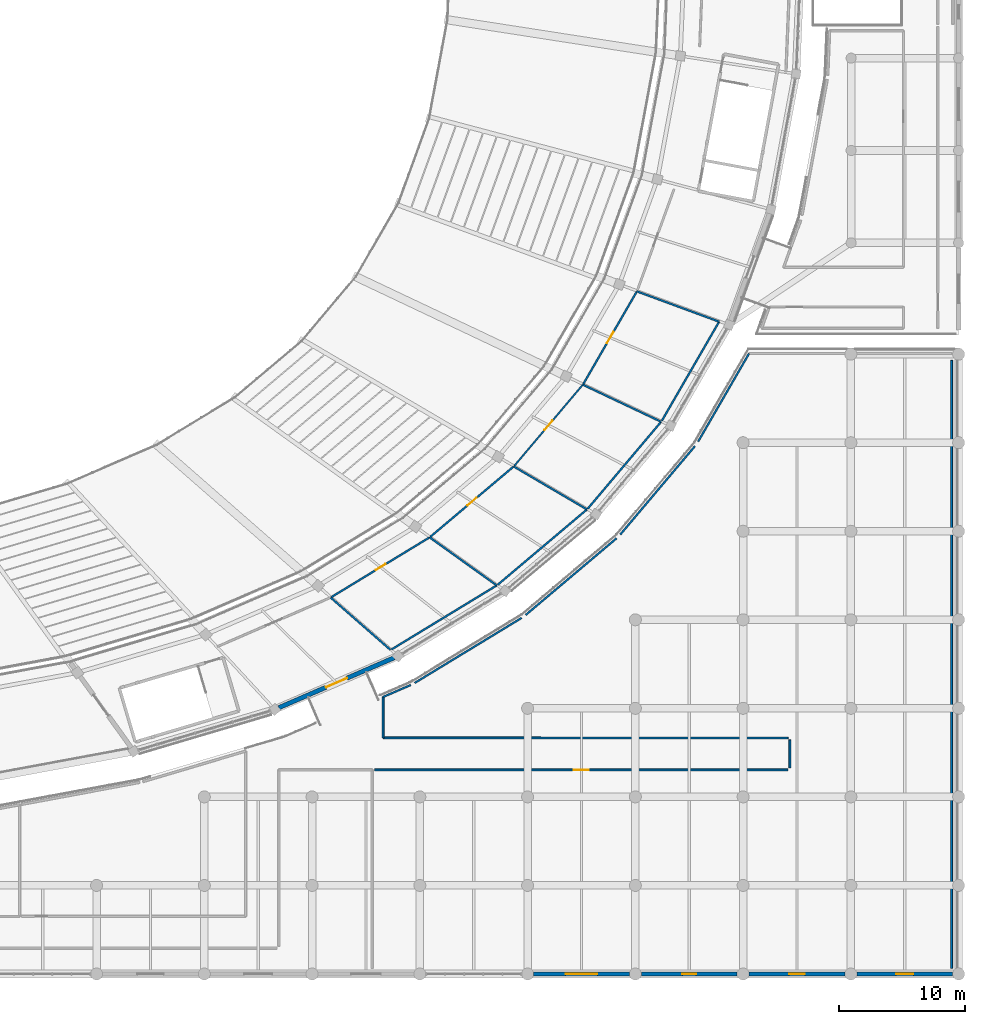
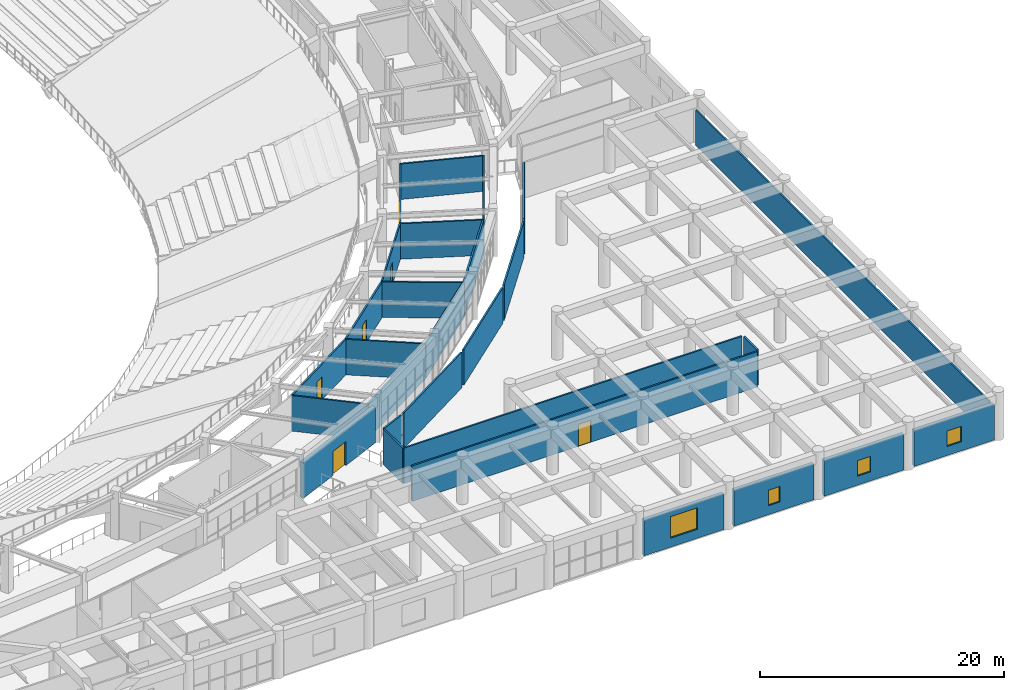
# One storey, part 98 of 137: 28 walls, 6 doors, 4 windows, 10 openings.
"""IFC4 building model written with IfcOpenShell, lengths in metres."""

import ifcopenshell
import ifcopenshell.guid

model = None  # the IFC model being written
_history = None  # IfcOwnerHistory: only IFC2X3 demands one
_inside = {}  # id of a spatial element -> (the spatial element, [elements in it])
_under = {}  # id of a project, library or spatial element -> (it, [spatial elements below it])
_declared = {}  # id of a project -> (the project, [libraries it declares])
_typed = {}  # id of a type object -> (the type object, [elements of that type])
_made_of = {}  # id of a material, layer set ... -> (it, [elements and type objects made of it])


def new_model(schema):
    """Start an empty IFC model of exactly this schema.

    Asked for "IFC4X3", IfcOpenShell would pick the latest addendum, in which some entities
    have other attributes; the version numbers below select the first issue.
    IFC2X3 requires an IfcOwnerHistory on every rooted entity: one is made here for all.
    """
    global model, _history
    if schema == "IFC4X3":
        model = ifcopenshell.file(schema_version=(4, 3, 0, 0))
    else:
        model = ifcopenshell.file(schema=schema)
    _inside.clear()
    _under.clear()
    _declared.clear()
    _typed.clear()
    _made_of.clear()
    _history = None
    if model.schema == "IFC2X3":
        org = make("IfcOrganization", Name="unknown")
        user = make(
            "IfcPersonAndOrganization",
            ThePerson=make("IfcPerson", FamilyName="unknown"),
            TheOrganization=org,
        )
        app = make(
            "IfcApplication",
            ApplicationDeveloper=org,
            Version="unknown",
            ApplicationFullName="unknown",
            ApplicationIdentifier="unknown",
        )
        _history = make(
            "IfcOwnerHistory",
            OwningUser=user,
            OwningApplication=app,
            ChangeAction="ADDED",
            CreationDate=0,
        )
    return model


def make(cls, **values):
    """One entity of the class cls with the attributes given. An attribute that is None is left unset."""
    return model.create_entity(
        cls, **{name: value for name, value in values.items() if value is not None}
    )


def rooted(cls, **values):
    """An entity with a GlobalId (a new one), such as an element, a storey or a relation."""
    return make(cls, GlobalId=ifcopenshell.guid.new(), OwnerHistory=_history, **values)


def si_unit(unit_type, name, prefix=None):
    """IfcSIUnit, for example si_unit("LENGTHUNIT", "METRE", prefix="MILLI")."""
    return make("IfcSIUnit", UnitType=unit_type, Prefix=prefix, Name=name)


def assignment(units):
    """IfcUnitAssignment: the units of a project."""
    return None if units is None else make("IfcUnitAssignment", Units=units)


def point(xyz):
    """IfcCartesianPoint."""
    return None if xyz is None else make("IfcCartesianPoint", Coordinates=xyz)


def direction(xyz):
    """IfcDirection."""
    return None if xyz is None else make("IfcDirection", DirectionRatios=xyz)


def frame(location, z_axis=None, x_axis=None):
    """IfcAxis2Placement3D, a coordinate frame: its origin and axes. An axis left out is left unset."""
    return make(
        "IfcAxis2Placement3D",
        Location=point(location),
        Axis=direction(z_axis),
        RefDirection=direction(x_axis),
    )


def frame_2d(location, x_axis=None):
    """IfcAxis2Placement2D, a coordinate frame in the plane: its origin and x axis."""
    return make(
        "IfcAxis2Placement2D", Location=point(location), RefDirection=direction(x_axis)
    )


def origin():
    """The frame at (0, 0, 0) with its axes left unset."""
    return frame((0.0, 0.0, 0.0))


def place(relative_to, where):
    """IfcLocalPlacement: puts the frame where relative to a parent placement (None: the world)."""
    return make(
        "IfcLocalPlacement", PlacementRelTo=relative_to, RelativePlacement=where
    )


def context(
    kind, dimensions, precision=None, world=None, true_north=None, identifier=None
):
    """IfcGeometricRepresentationContext, for example the 3D "Model" context."""
    return make(
        "IfcGeometricRepresentationContext",
        ContextIdentifier=identifier,
        ContextType=kind,
        CoordinateSpaceDimension=dimensions,
        Precision=precision,
        WorldCoordinateSystem=world,
        TrueNorth=true_north,
    )


def subcontext(parent, identifier, kind, view, scale=None):
    """IfcGeometricRepresentationSubContext, for example "Body" below "Model"."""
    return make(
        "IfcGeometricRepresentationSubContext",
        ContextIdentifier=identifier,
        ContextType=kind,
        ParentContext=parent,
        TargetScale=scale,
        TargetView=view,
    )


def project(units=None, contexts=None):
    """IfcProject with its units and contexts."""
    return rooted(
        "IfcProject",
        Name="project",
        RepresentationContexts=contexts,
        UnitsInContext=assignment(units),
    )


def spatial(cls, under=None, at=None, **own):
    """A site, building, storey or space (cls), placed at a placement, below another one or the project."""
    s = rooted(cls, ObjectPlacement=at, **own)
    if under is not None:
        _under.setdefault(under.id(), (under, []))[1].append(s)
    return s


def profile(cls, at=None, kind="AREA", **sizes):
    """A parametric profile (cls). Its sizes go by their IFC names, for example OverallWidth=200.0."""
    return make(cls, ProfileType=kind, Position=at, **sizes)


def rectangle(**sizes):
    """IfcRectangleProfileDef."""
    return profile("IfcRectangleProfileDef", **sizes)


def extrude(swept, where, along, depth):
    """IfcExtrudedAreaSolid: the profile swept, set in the frame where, extruded along a direction by depth."""
    return make(
        "IfcExtrudedAreaSolid",
        SweptArea=swept,
        Position=where,
        ExtrudedDirection=direction(along),
        Depth=depth,
    )


def shape(context_of_items, identifier, shape_type, items):
    """IfcShapeRepresentation: the items that make up one representation, for example the "Body"."""
    return make(
        "IfcShapeRepresentation",
        ContextOfItems=context_of_items,
        RepresentationIdentifier=identifier,
        RepresentationType=shape_type,
        Items=items,
    )


def material(Name=None, Category=None):
    """IfcMaterial."""
    return make("IfcMaterial", Name=Name, Category=Category)


def layer(
    of_material, thickness, ventilated=None, Name=None, Category=None, Priority=None
):
    """IfcMaterialLayer: one layer of a wall or slab, of a material (None: an air gap)."""
    return make(
        "IfcMaterialLayer",
        Material=of_material,
        LayerThickness=thickness,
        IsVentilated=ventilated,
        Name=Name,
        Category=Category,
        Priority=Priority,
    )


def layer_set(layers, Name=None):
    """IfcMaterialLayerSet."""
    return make("IfcMaterialLayerSet", MaterialLayers=layers, LayerSetName=Name)


def made_of(thing, what):
    """Note that an element or type object is made of a material, layer set ...; save() writes the relation."""
    if what is not None:
        _made_of.setdefault(what.id(), (what, []))[1].append(thing)
    return thing


def type_object(cls, material=None, **own):
    """A type object (cls), such as IfcWallType, which elements share."""
    return made_of(rooted(cls, **own), material)


def element(
    cls,
    number,
    at=None,
    inside=None,
    cuts=None,
    type_object=None,
    material=None,
    context=None,
    identifier="Body",
    shape_type=None,
    held_by="IfcProductDefinitionShape",
    body=None,
    shapes=None,
    **own,
):
    """One element of the class cls, such as IfcWall. Its Tag is "e" and its number.

    at: its placement. inside: the storey or other place that contains it. cuts: it is an
    opening in that element (IfcRelVoidsElement). A single representation is given by context,
    identifier, shape_type and body (its items); several are given by shapes. held_by: the class
    of the entity that holds the representations. save() writes the other relations.
    """
    e = rooted(cls, Tag="e%d" % number, ObjectPlacement=at, **own)
    if body is not None:
        shapes = [shape(context, identifier, shape_type, body)]
    if shapes is not None:
        e.Representation = make(held_by, Representations=shapes)
    if inside is not None:
        _inside.setdefault(inside.id(), (inside, []))[1].append(e)
    if cuts is not None:
        rooted(
            "IfcRelVoidsElement", RelatingBuildingElement=cuts, RelatedOpeningElement=e
        )
    if type_object is not None:
        _typed.setdefault(type_object.id(), (type_object, []))[1].append(e)
    return made_of(e, material)


def fill(opening, filler):
    """IfcRelFillsElement: the door or window that sits in an opening."""
    return rooted(
        "IfcRelFillsElement",
        RelatingOpeningElement=opening,
        RelatedBuildingElement=filler,
    )


def aggregate(whole, parts):
    """IfcRelAggregates: a whole, such as a stair, and the parts it consists of."""
    return rooted("IfcRelAggregates", RelatingObject=whole, RelatedObjects=parts)


def save(model, path):
    """Write the relations noted so far, then the file.

    IfcRelAggregates (storeys below a building ...), IfcRelContainedInSpatialStructure (elements
    in a storey), IfcRelDefinesByType, IfcRelAssociatesMaterial and IfcRelDeclares: one each for
    every whole, place, type object, material and project.
    """
    for whole, parts in _under.values():
        aggregate(whole, parts)
    for where, things in _inside.values():
        rooted(
            "IfcRelContainedInSpatialStructure",
            RelatedElements=things,
            RelatingStructure=where,
        )
    for kind, things in _typed.values():
        rooted("IfcRelDefinesByType", RelatedObjects=things, RelatingType=kind)
    for what, things in _made_of.values():
        rooted("IfcRelAssociatesMaterial", RelatedObjects=things, RelatingMaterial=what)
    for by, libraries in _declared.values():
        rooted("IfcRelDeclares", RelatingContext=by, RelatedDefinitions=libraries)
    model.write(path)


model = new_model("IFC4")

# Units and contexts
model_context = context("Model", 3, precision=1e-05, world=origin(), true_north=direction((0.0, 1.0)))
body_context = subcontext(model_context, "Body", "Model", "MODEL_VIEW")
ifc_project = project(units=[si_unit("LENGTHUNIT", "METRE"), si_unit("AREAUNIT", "SQUARE_METRE"), si_unit("VOLUMEUNIT", "CUBIC_METRE"), si_unit("PLANEANGLEUNIT", "RADIAN"), si_unit("MASSUNIT", "GRAM", prefix="KILO")], contexts=[model_context])

# Site, building, storey
site_placement = place(None, origin())
site = spatial("IfcSite", under=ifc_project, at=site_placement, CompositionType="ELEMENT")
building_placement = place(site_placement, origin())
building = spatial("IfcBuilding", under=site, at=building_placement, Name="Mphavela Belvedere Stadium", CompositionType="ELEMENT")
storey_placement = place(building_placement, frame((0.0, 0.0, 19.199951171875)))
storey = spatial("IfcBuildingStorey", under=building, at=storey_placement, Name="L04", CompositionType="ELEMENT", Elevation=19.199951171875)

# Wall, opening, door
ifc_material_1 = material(Name="Honed ashlar limestone masonry", Category="masonry")
ifc_layer_1 = layer(ifc_material_1, 0.35009765625)
ifc_layer_set_1 = layer_set([ifc_layer_1], Name="Honed ashlar limestone masonry")
wall_type_1 = type_object("IfcWallType", Name="WAL-EXT-ASHLAR-350", PredefinedType="STANDARD", material=ifc_layer_set_1)
wall_1_placement = place(storey_placement, frame((185.376953125, 25.000732421875, 0.0), z_axis=(0.0, 0.0, 1.0), x_axis=(-0.917498268626, -0.397739773052, 0.0)))
wall_1 = element("IfcWall", 1, at=wall_1_placement, inside=storey, type_object=wall_type_1, Name="Classical link portal wall L04-41", PredefinedType="STANDARD", context=body_context, shape_type="SweptSolid", body=[
    extrude(rectangle(XDim=9.940185546875, YDim=0.35009765625, at=frame_2d((4.97021484375, 0.0))), origin(), (0.0, 0.0, 1.0), 3.570068359375),
])
opening_1_placement = place(wall_1_placement, frame((4.070068359375, 0.0, 0.0)))
opening_1 = element("IfcOpeningElement", 2, at=opening_1_placement, cuts=wall_1, Name="Opening ID-9440", PredefinedType="OPENING", context=body_context, shape_type="SweptSolid", body=[
    extrude(rectangle(XDim=1.800048828125, YDim=2.39990234375, at=frame_2d((0.89990234375, 1.199951171875))), frame((0.0, 0.18505859375, 0.0), z_axis=(0.0, -1.0, 0.0), x_axis=(1.0, 0.0, 0.0)), (0.0, 0.0, 1.0), 0.3701171875),
])
ifc_material_2 = material(Name="Glazed bronze-anodised steel exit doorset", Category="steel")
door_type_1 = type_object("IfcDoorType", Name="DR-EXT-01", OperationType="NOTDEFINED", PredefinedType="DOOR", material=ifc_material_2)
door_1_placement = place(opening_1_placement, origin())
door_1 = element("IfcDoor", 3, at=door_1_placement, inside=storey, type_object=door_type_1, Name="Wing promenade link doorset L04-41", OperationType="DOUBLE_DOOR_SINGLE_SWING", OverallHeight=2.39990234375, OverallWidth=1.800048828125, PredefinedType="DOOR", context=body_context, shape_type="SweptSolid", body=[
    extrude(rectangle(XDim=1.800048828125, YDim=2.39990234375, at=frame_2d((0.89990234375, 1.199951171875))), frame((0.0, 0.02490234375, 0.0), z_axis=(0.0, -1.0, 0.0), x_axis=(1.0, 0.0, 0.0)), (0.0, 0.0, 1.0), 0.050048828125),
])
fill(opening_1, door_1)

# Wall, opening, window
wall_2_placement = place(storey_placement, frame((203.970947265625, 0.0, 0.0), z_axis=(0.0, 0.0, 1.0), x_axis=(-1.0, 0.0, 0.0)))
wall_2 = element("IfcWall", 4, at=wall_2_placement, inside=storey, type_object=wall_type_1, Name="South Axial Triumphal Peristyle Portico outer facade bay L04-24", PredefinedType="STANDARD", context=body_context, shape_type="SweptSolid", body=[
    extrude(rectangle(XDim=7.572021484375, YDim=0.35009765625, at=frame_2d((3.7861328125, 0.0))), origin(), (0.0, 0.0, 1.0), 3.56005859375),
])
opening_2_placement = place(wall_2_placement, frame((2.52587890625, 0.0, 0.89990234375)))
opening_2 = element("IfcOpeningElement", 5, at=opening_2_placement, cuts=wall_2, Name="Opening W-132", PredefinedType="OPENING", context=body_context, shape_type="SweptSolid", body=[
    extrude(rectangle(XDim=2.52001953125, YDim=2.14990234375, at=frame_2d((1.260009765625, 1.074951171875))), frame((0.0, 0.18505859375, 0.0), z_axis=(0.0, -1.0, 0.0), x_axis=(1.0, 0.0, 0.0)), (0.0, 0.0, 1.0), 0.3701171875),
])
ifc_material_3 = material(Name="Bronze-anodised thermally broken aluminium window", Category="aluminium")
window_type_1 = type_object("IfcWindowType", Name="WIN-EXT-44", PartitioningType="SINGLE_PANEL", PredefinedType="WINDOW", material=ifc_material_3)
window_1_placement = place(opening_2_placement, origin())
window_1 = element("IfcWindow", 6, at=window_1_placement, inside=storey, type_object=window_type_1, Name="South Axial Triumphal Peristyle Portico classical window W-132", OverallHeight=2.14990234375, OverallWidth=2.52001953125, PartitioningType="SINGLE_PANEL", PredefinedType="WINDOW", context=body_context, shape_type="SweptSolid", body=[
    extrude(rectangle(XDim=2.52001953125, YDim=2.14990234375, at=frame_2d((1.260009765625, 1.074951171875))), frame((0.0, 0.030029296875, 0.0), z_axis=(0.0, -1.0, 0.0), x_axis=(1.0, 0.0, 0.0)), (0.0, 0.0, 1.0), 0.06005859375),
])
fill(opening_2, window_1)

wall_3_placement = place(storey_placement, frame((212.489990234375, 0.0, 0.0), z_axis=(0.0, 0.0, 1.0), x_axis=(-1.0, 0.0, 0.0)))
wall_3 = element("IfcWall", 7, at=wall_3_placement, inside=storey, type_object=wall_type_1, Name="South Axial Triumphal Peristyle Portico outer facade bay L04-25", PredefinedType="STANDARD", context=body_context, shape_type="SweptSolid", body=[
    extrude(rectangle(XDim=7.572998046875, YDim=0.35009765625, at=frame_2d((3.78662109375, 0.0))), origin(), (0.0, 0.0, 1.0), 3.56005859375),
])
opening_3_placement = place(wall_3_placement, frame((3.236572265625, 0.0, 0.89990234375)))
opening_3 = element("IfcOpeningElement", 8, at=opening_3_placement, cuts=wall_3, Name="Opening W-133", PredefinedType="OPENING", context=body_context, shape_type="SweptSolid", body=[
    extrude(rectangle(XDim=1.10009765625, YDim=1.550048828125, at=frame_2d((0.550048828125, 0.77490234375))), frame((0.0, 0.18505859375, 0.0), z_axis=(0.0, -1.0, 0.0), x_axis=(1.0, 0.0, 0.0)), (0.0, 0.0, 1.0), 0.3701171875),
])
ifc_material_4 = material(Name="Bronze-anodised thermally broken aluminium window", Category="aluminium")
window_type_2 = type_object("IfcWindowType", Name="WIN-EXT-01", PartitioningType="SINGLE_PANEL", PredefinedType="WINDOW", material=ifc_material_4)
window_2_placement = place(opening_3_placement, origin())
window_2 = element("IfcWindow", 9, at=window_2_placement, inside=storey, type_object=window_type_2, Name="South Axial Triumphal Peristyle Portico classical window W-133", OverallHeight=1.550048828125, OverallWidth=1.10009765625, PartitioningType="SINGLE_PANEL", PredefinedType="WINDOW", context=body_context, shape_type="SweptSolid", body=[
    extrude(rectangle(XDim=1.10009765625, YDim=1.550048828125, at=frame_2d((0.550048828125, 0.77490234375))), frame((0.0, 0.030029296875, 0.0), z_axis=(0.0, -1.0, 0.0), x_axis=(1.0, 0.0, 0.0)), (0.0, 0.0, 1.0), 0.06005859375),
])
fill(opening_3, window_2)

wall_4_placement = place(storey_placement, frame((221.008056640625, 0.0, 0.0), z_axis=(0.0, 0.0, 1.0), x_axis=(-1.0, 0.0, 0.0)))
wall_4 = element("IfcWall", 10, at=wall_4_placement, inside=storey, type_object=wall_type_1, Name="South Axial Triumphal Peristyle Portico outer facade bay L04-26", PredefinedType="STANDARD", context=body_context, shape_type="SweptSolid", body=[
    extrude(rectangle(XDim=7.572021484375, YDim=0.35009765625, at=frame_2d((3.7861328125, 0.0))), origin(), (0.0, 0.0, 1.0), 3.56005859375),
])
opening_4_placement = place(wall_4_placement, frame((3.166015625, 0.0, 0.89990234375)))
opening_4 = element("IfcOpeningElement", 11, at=opening_4_placement, cuts=wall_4, Name="Opening W-134", PredefinedType="OPENING", context=body_context, shape_type="SweptSolid", body=[
    extrude(rectangle(XDim=1.239990234375, YDim=1.550048828125, at=frame_2d((0.6201171875, 0.77490234375))), frame((0.0, 0.18505859375, 0.0), z_axis=(0.0, -1.0, 0.0), x_axis=(1.0, 0.0, 0.0)), (0.0, 0.0, 1.0), 0.3701171875),
])
ifc_material_5 = material(Name="Bronze-anodised thermally broken aluminium window", Category="aluminium")
window_type_3 = type_object("IfcWindowType", Name="WIN-EXT-02", PartitioningType="SINGLE_PANEL", PredefinedType="WINDOW", material=ifc_material_5)
window_3_placement = place(opening_4_placement, origin())
window_3 = element("IfcWindow", 12, at=window_3_placement, inside=storey, type_object=window_type_3, Name="South Axial Triumphal Peristyle Portico classical window W-134", OverallHeight=1.550048828125, OverallWidth=1.239990234375, PartitioningType="SINGLE_PANEL", PredefinedType="WINDOW", context=body_context, shape_type="SweptSolid", body=[
    extrude(rectangle(XDim=1.239990234375, YDim=1.550048828125, at=frame_2d((0.6201171875, 0.77490234375))), frame((0.0, 0.030029296875, 0.0), z_axis=(0.0, -1.0, 0.0), x_axis=(1.0, 0.0, 0.0)), (0.0, 0.0, 1.0), 0.06005859375),
])
fill(opening_4, window_3)

wall_5_placement = place(storey_placement, frame((229.527099609375, 0.0, 0.0), z_axis=(0.0, 0.0, 1.0), x_axis=(-1.0, 0.0, 0.0)))
wall_5 = element("IfcWall", 13, at=wall_5_placement, inside=storey, type_object=wall_type_1, Name="South Axial Triumphal Peristyle Portico outer facade bay L04-27", PredefinedType="STANDARD", context=body_context, shape_type="SweptSolid", body=[
    extrude(rectangle(XDim=7.572998046875, YDim=0.35009765625, at=frame_2d((3.78662109375, 0.0))), origin(), (0.0, 0.0, 1.0), 3.56005859375),
])
opening_5_placement = place(wall_5_placement, frame((3.096435546875, 0.0, 0.89990234375)))
opening_5 = element("IfcOpeningElement", 14, at=opening_5_placement, cuts=wall_5, Name="Opening W-135", PredefinedType="OPENING", context=body_context, shape_type="SweptSolid", body=[
    extrude(rectangle(XDim=1.3798828125, YDim=1.550048828125, at=frame_2d((0.68994140625, 0.77490234375))), frame((0.0, 0.18505859375, 0.0), z_axis=(0.0, -1.0, 0.0), x_axis=(1.0, 0.0, 0.0)), (0.0, 0.0, 1.0), 0.3701171875),
])
ifc_material_6 = material(Name="Bronze-anodised thermally broken aluminium window", Category="aluminium")
window_type_4 = type_object("IfcWindowType", Name="WIN-EXT-03", PartitioningType="SINGLE_PANEL", PredefinedType="WINDOW", material=ifc_material_6)
window_4_placement = place(opening_5_placement, origin())
window_4 = element("IfcWindow", 15, at=window_4_placement, inside=storey, type_object=window_type_4, Name="South Axial Triumphal Peristyle Portico classical window W-135", OverallHeight=1.550048828125, OverallWidth=1.3798828125, PartitioningType="SINGLE_PANEL", PredefinedType="WINDOW", context=body_context, shape_type="SweptSolid", body=[
    extrude(rectangle(XDim=1.3798828125, YDim=1.550048828125, at=frame_2d((0.68994140625, 0.77490234375))), frame((0.0, 0.030029296875, 0.0), z_axis=(0.0, -1.0, 0.0), x_axis=(1.0, 0.0, 0.0)), (0.0, 0.0, 1.0), 0.06005859375),
])
fill(opening_5, window_4)

# Wall, opening, door
ifc_material_7 = material(Name="Moisture-resistant sanitary partition assembly")
ifc_layer_2 = layer(ifc_material_7, 0.125)
ifc_layer_set_2 = layer_set([ifc_layer_2], Name="Moisture-resistant sanitary partition assembly")
wall_type_2 = type_object("IfcWallType", Name="WAL-PART-125", PredefinedType="PARTITIONING", material=ifc_layer_set_2)
wall_6_placement = place(storey_placement, frame((194.88330078125, 40.179931640625, 0.0), z_axis=(0.0, 0.0, 1.0), x_axis=(0.645175528474, 0.764034382379, 0.0)))
wall_6 = element("IfcWall", 16, at=wall_6_placement, inside=storey, type_object=wall_type_2, Name="Room L04-94 corridor partition", PredefinedType="PARTITIONING", context=body_context, shape_type="SweptSolid", body=[
    extrude(rectangle(XDim=8.382568359375, YDim=0.125, at=frame_2d((4.19140625, 0.0))), origin(), (0.0, 0.0, 1.0), 3.550048828125),
])
opening_6_placement = place(wall_6_placement, frame((3.701171875, 0.0, 0.0)))
opening_6 = element("IfcOpeningElement", 17, at=opening_6_placement, cuts=wall_6, Name="Opening ID-351", PredefinedType="OPENING", context=body_context, shape_type="SweptSolid", body=[
    extrude(rectangle(XDim=0.97998046875, YDim=2.300048828125, at=frame_2d((0.489990234375, 1.14990234375))), frame((0.0, 0.072509765625, 0.0), z_axis=(0.0, -1.0, 0.0), x_axis=(1.0, 0.0, 0.0)), (0.0, 0.0, 1.0), 0.14501953125),
])
ifc_material_8 = material(Name="Hardwood acoustic timber doorset", Category="wood")
door_type_2 = type_object("IfcDoorType", Name="DR-INT-27", OperationType="NOTDEFINED", PredefinedType="DOOR", material=ifc_material_8)
door_2_placement = place(opening_6_placement, origin())
door_2 = element("IfcDoor", 18, at=door_2_placement, inside=storey, type_object=door_type_2, Name="Room L04-94 entrance door ID-351", OperationType="SINGLE_SWING_LEFT", OverallHeight=2.300048828125, OverallWidth=0.97998046875, PredefinedType="DOOR", context=body_context, shape_type="SweptSolid", body=[
    extrude(rectangle(XDim=0.97998046875, YDim=2.300048828125, at=frame_2d((0.489990234375, 1.14990234375))), frame((0.0, 0.02490234375, 0.0), z_axis=(0.0, -1.0, 0.0), x_axis=(1.0, 0.0, 0.0)), (0.0, 0.0, 1.0), 0.050048828125),
])
fill(opening_6, door_2)

ifc_material_9 = material(Name="Acoustic gypsum stud partition assembly")
ifc_layer_3 = layer(ifc_material_9, 0.14990234375)
ifc_layer_set_3 = layer_set([ifc_layer_3], Name="Acoustic gypsum stud partition assembly")
wall_type_3 = type_object("IfcWallType", Name="WAL-PART-150", PredefinedType="PARTITIONING", material=ifc_layer_set_3)
wall_7_placement = place(storey_placement, frame((180.427978515625, 29.802001953125, 0.0), z_axis=(0.0, 0.0, 1.0), x_axis=(0.85432634766, 0.519736944707, 0.0)))
wall_7 = element("IfcWall", 19, at=wall_7_placement, inside=storey, type_object=wall_type_3, Name="Room L04-90 corridor partition", PredefinedType="PARTITIONING", context=body_context, shape_type="SweptSolid", body=[
    extrude(rectangle(XDim=9.073486328125, YDim=0.14990234375, at=frame_2d((4.53662109375, 0.0))), origin(), (0.0, 0.0, 1.0), 3.550048828125),
])
opening_7_placement = place(wall_7_placement, frame((4.086669921875, 0.0, 0.0)))
opening_7 = element("IfcOpeningElement", 20, at=opening_7_placement, cuts=wall_7, Name="Opening ID-349", PredefinedType="OPENING", context=body_context, shape_type="SweptSolid", body=[
    extrude(rectangle(XDim=0.89990234375, YDim=2.300048828125, at=frame_2d((0.449951171875, 1.14990234375))), frame((0.0, 0.0849609375, 0.0), z_axis=(0.0, -1.0, 0.0), x_axis=(1.0, 0.0, 0.0)), (0.0, 0.0, 1.0), 0.169921875),
])
ifc_material_10 = material(Name="Hardwood acoustic timber doorset", Category="wood")
door_type_3 = type_object("IfcDoorType", Name="DR-INT-25", OperationType="NOTDEFINED", PredefinedType="DOOR", material=ifc_material_10)
door_3_placement = place(opening_7_placement, origin())
door_3 = element("IfcDoor", 21, at=door_3_placement, inside=storey, type_object=door_type_3, Name="Room L04-90 entrance door ID-349", OperationType="SINGLE_SWING_LEFT", OverallHeight=2.300048828125, OverallWidth=0.89990234375, PredefinedType="DOOR", context=body_context, shape_type="SweptSolid", body=[
    extrude(rectangle(XDim=0.89990234375, YDim=2.300048828125, at=frame_2d((0.449951171875, 1.14990234375))), frame((0.0, 0.02490234375, 0.0), z_axis=(0.0, -1.0, 0.0), x_axis=(1.0, 0.0, 0.0)), (0.0, 0.0, 1.0), 0.050048828125),
])
fill(opening_7, door_3)

wall_8_placement = place(storey_placement, frame((188.24658203125, 34.568359375, 0.0), z_axis=(0.0, 0.0, 1.0), x_axis=(0.764262219363, 0.644905621044, 0.0)))
wall_8 = element("IfcWall", 22, at=wall_8_placement, inside=storey, type_object=wall_type_3, Name="Room L04-92 corridor partition", PredefinedType="PARTITIONING", context=body_context, shape_type="SweptSolid", body=[
    extrude(rectangle(XDim=8.609375, YDim=0.14990234375, at=frame_2d((4.3046875, 0.0))), origin(), (0.0, 0.0, 1.0), 3.550048828125),
])
opening_8_placement = place(wall_8_placement, frame((3.834716796875, 0.0, 0.0)))
opening_8 = element("IfcOpeningElement", 23, at=opening_8_placement, cuts=wall_8, Name="Opening ID-350", PredefinedType="OPENING", context=body_context, shape_type="SweptSolid", body=[
    extrude(rectangle(XDim=0.93994140625, YDim=2.300048828125, at=frame_2d((0.469970703125, 1.14990234375))), frame((0.0, 0.0849609375, 0.0), z_axis=(0.0, -1.0, 0.0), x_axis=(1.0, 0.0, 0.0)), (0.0, 0.0, 1.0), 0.169921875),
])
ifc_material_11 = material(Name="Hardwood acoustic timber doorset", Category="wood")
door_type_4 = type_object("IfcDoorType", Name="DR-INT-26", OperationType="NOTDEFINED", PredefinedType="DOOR", material=ifc_material_11)
door_4_placement = place(opening_8_placement, origin())
door_4 = element("IfcDoor", 24, at=door_4_placement, inside=storey, type_object=door_type_4, Name="Room L04-92 entrance door ID-350", OperationType="SINGLE_SWING_RIGHT", OverallHeight=2.300048828125, OverallWidth=0.93994140625, PredefinedType="DOOR", context=body_context, shape_type="SweptSolid", body=[
    extrude(rectangle(XDim=0.93994140625, YDim=2.300048828125, at=frame_2d((0.469970703125, 1.14990234375))), frame((0.0, 0.02490234375, 0.0), z_axis=(0.0, -1.0, 0.0), x_axis=(1.0, 0.0, 0.0)), (0.0, 0.0, 1.0), 0.050048828125),
])
fill(opening_8, door_4)

wall_9_placement = place(storey_placement, frame((200.337158203125, 46.6513671875, 0.0), z_axis=(0.0, 0.0, 1.0), x_axis=(0.500563217362, 0.865699985806, 0.0)))
wall_9 = element("IfcWall", 25, at=wall_9_placement, inside=storey, type_object=wall_type_3, Name="Room L04-96 corridor partition", PredefinedType="PARTITIONING", context=body_context, shape_type="SweptSolid", body=[
    extrude(rectangle(XDim=8.444091796875, YDim=0.14990234375, at=frame_2d((4.22216796875, 0.0))), origin(), (0.0, 0.0, 1.0), 3.550048828125),
])
opening_9_placement = place(wall_9_placement, frame((3.712158203125, 0.0, 0.0)))
opening_9 = element("IfcOpeningElement", 26, at=opening_9_placement, cuts=wall_9, Name="Opening ID-352", PredefinedType="OPENING", context=body_context, shape_type="SweptSolid", body=[
    extrude(rectangle(XDim=1.02001953125, YDim=2.300048828125, at=frame_2d((0.510009765625, 1.14990234375))), frame((0.0, 0.0849609375, 0.0), z_axis=(0.0, -1.0, 0.0), x_axis=(1.0, 0.0, 0.0)), (0.0, 0.0, 1.0), 0.169921875),
])
ifc_material_12 = material(Name="Hardwood acoustic timber doorset", Category="wood")
door_type_5 = type_object("IfcDoorType", Name="DR-INT-28", OperationType="NOTDEFINED", PredefinedType="DOOR", material=ifc_material_12)
door_5_placement = place(opening_9_placement, origin())
door_5 = element("IfcDoor", 27, at=door_5_placement, inside=storey, type_object=door_type_5, Name="Room L04-96 entrance door ID-352", OperationType="SINGLE_SWING_RIGHT", OverallHeight=2.300048828125, OverallWidth=1.02001953125, PredefinedType="DOOR", context=body_context, shape_type="SweptSolid", body=[
    extrude(rectangle(XDim=1.02001953125, YDim=2.300048828125, at=frame_2d((0.510009765625, 1.14990234375))), frame((0.0, 0.02490234375, 0.0), z_axis=(0.0, -1.0, 0.0), x_axis=(1.0, 0.0, 0.0)), (0.0, 0.0, 1.0), 0.050048828125),
])
fill(opening_9, door_5)

wall_10_placement = place(storey_placement, frame((183.830078125, 16.139892578125, 0.0), z_axis=(0.0, 0.0, 1.0), x_axis=(1.0, 0.0, 0.0)))
wall_10 = element("IfcWall", 28, at=wall_10_placement, inside=storey, type_object=wall_type_3, Name="Room L04-107 corridor partition", PredefinedType="PARTITIONING", context=body_context, shape_type="SweptSolid", body=[
    extrude(rectangle(XDim=32.669921875, YDim=0.14990234375, at=frame_2d((16.3349609375, 0.0))), origin(), (0.0, 0.0, 1.0), 3.550048828125),
])
opening_10_placement = place(wall_10_placement, frame((15.7451171875, 0.0, 0.0)))
opening_10 = element("IfcOpeningElement", 29, at=opening_10_placement, cuts=wall_10, Name="Opening ID-416", PredefinedType="OPENING", context=body_context, shape_type="SweptSolid", body=[
    extrude(rectangle(XDim=1.179931640625, YDim=2.199951171875, at=frame_2d((0.58984375, 1.10009765625))), frame((0.0, 0.0849609375, 0.0), z_axis=(0.0, -1.0, 0.0), x_axis=(1.0, 0.0, 0.0)), (0.0, 0.0, 1.0), 0.169921875),
])
ifc_material_13 = material(Name="Hardwood acoustic timber doorset", Category="wood")
door_type_6 = type_object("IfcDoorType", Name="DR-INT-20", OperationType="NOTDEFINED", PredefinedType="DOOR", material=ifc_material_13)
door_6_placement = place(opening_10_placement, origin())
door_6 = element("IfcDoor", 30, at=door_6_placement, inside=storey, type_object=door_type_6, Name="Room L04-107 entrance door ID-416", OperationType="SINGLE_SWING_RIGHT", OverallHeight=2.199951171875, OverallWidth=1.179931640625, PredefinedType="DOOR", context=body_context, shape_type="SweptSolid", body=[
    extrude(rectangle(XDim=1.179931640625, YDim=2.199951171875, at=frame_2d((0.58984375, 1.10009765625))), frame((0.0, 0.02490234375, 0.0), z_axis=(0.0, -1.0, 0.0), x_axis=(1.0, 0.0, 0.0)), (0.0, 0.0, 1.0), 0.050048828125),
])
fill(opening_10, door_6)

# Walls
wall_11_placement = place(storey_placement, frame((180.353515625, 29.760986328125, 0.0), z_axis=(0.0, 0.0, 1.0), x_axis=(0.752567080438, -0.658515595442, 0.0)))
element("IfcWall", 31, at=wall_11_placement, inside=storey, type_object=wall_type_3, Name="Room divider partition L04-0623", PredefinedType="PARTITIONING", context=body_context, shape_type="SweptSolid", body=[
    extrude(rectangle(XDim=6.292236328125, YDim=0.14990234375, at=frame_2d((3.14599609375, 0.0))), origin(), (0.0, 0.0, 1.0), 3.550048828125),
])
wall_12_placement = place(storey_placement, frame((188.1796875, 34.517822265625, 0.0), z_axis=(0.0, 0.0, 1.0), x_axis=(0.81289356845, -0.582412264958, 0.0)))
element("IfcWall", 32, at=wall_12_placement, inside=storey, type_object=wall_type_3, Name="Room divider partition L04-0624", PredefinedType="PARTITIONING", context=body_context, shape_type="SweptSolid", body=[
    extrude(rectangle(XDim=6.527099609375, YDim=0.14990234375, at=frame_2d((3.263671875, 0.0))), origin(), (0.0, 0.0, 1.0), 3.550048828125),
])
wall_13_placement = place(storey_placement, frame((193.485595703125, 30.71630859375, 0.0), z_axis=(0.0, 0.0, 1.0), x_axis=(-0.854310862528, -0.519762397799, 0.0)))
element("IfcWall", 33, at=wall_13_placement, inside=storey, type_object=wall_type_3, Name="Room divider partition L04-0625", PredefinedType="PARTITIONING", context=body_context, shape_type="SweptSolid", body=[
    extrude(rectangle(XDim=9.7373046875, YDim=0.14990234375, at=frame_2d((4.86865234375, 0.0))), origin(), (0.0, 0.0, 1.0), 3.550048828125),
])
wall_14_placement = place(storey_placement, frame((194.826416015625, 40.12060546875, 0.0), z_axis=(0.0, 0.0, 1.0), x_axis=(0.862514114194, -0.506033005659, 0.0)))
element("IfcWall", 34, at=wall_14_placement, inside=storey, type_object=wall_type_3, Name="Room divider partition L04-0626", PredefinedType="PARTITIONING", context=body_context, shape_type="SweptSolid", body=[
    extrude(rectangle(XDim=6.71435546875, YDim=0.14990234375, at=frame_2d((3.357177734375, 0.0))), origin(), (0.0, 0.0, 1.0), 3.550048828125),
])
wall_15_placement = place(storey_placement, frame((200.61767578125, 36.722900390625, 0.0), z_axis=(0.0, 0.0, 1.0), x_axis=(-0.764260552728, -0.644907596129, 0.0)))
element("IfcWall", 35, at=wall_15_placement, inside=storey, type_object=wall_type_3, Name="Room divider partition L04-0627", PredefinedType="PARTITIONING", context=body_context, shape_type="SweptSolid", body=[
    extrude(rectangle(XDim=9.23974609375, YDim=0.14990234375, at=frame_2d((4.619873046875, 0.0))), origin(), (0.0, 0.0, 1.0), 3.550048828125),
])
wall_16_placement = place(storey_placement, frame((200.29150390625, 46.58447265625, 0.0), z_axis=(0.0, 0.0, 1.0), x_axis=(0.903864816712, -0.42781817763, 0.0)))
element("IfcWall", 36, at=wall_16_placement, inside=storey, type_object=wall_type_3, Name="Room divider partition L04-0628", PredefinedType="PARTITIONING", context=body_context, shape_type="SweptSolid", body=[
    extrude(rectangle(XDim=6.84912109375, YDim=0.14990234375, at=frame_2d((3.424560546875, 0.0))), origin(), (0.0, 0.0, 1.0), 3.550048828125),
])
wall_17_placement = place(storey_placement, frame((206.482177734375, 43.654296875, 0.0), z_axis=(0.0, 0.0, 1.0), x_axis=(-0.645159696095, -0.764047751475, 0.0)))
element("IfcWall", 37, at=wall_17_placement, inside=storey, type_object=wall_type_3, Name="Room divider partition L04-0629", PredefinedType="PARTITIONING", context=body_context, shape_type="SweptSolid", body=[
    extrude(rectangle(XDim=8.99658203125, YDim=0.14990234375, at=frame_2d((4.498291015625, 0.0))), origin(), (0.0, 0.0, 1.0), 3.550048828125),
])
wall_18_placement = place(storey_placement, frame((204.56396484375, 53.96142578125, 0.0), z_axis=(0.0, 0.0, 1.0), x_axis=(0.938353341724, -0.345677604242, 0.0)))
element("IfcWall", 38, at=wall_18_placement, inside=storey, type_object=wall_type_3, Name="Room divider partition L04-0630", PredefinedType="PARTITIONING", context=body_context, shape_type="SweptSolid", body=[
    extrude(rectangle(XDim=6.929931640625, YDim=0.14990234375, at=frame_2d((3.46484375, 0.0))), origin(), (0.0, 0.0, 1.0), 3.550048828125),
])
wall_19_placement = place(storey_placement, frame((211.066650390625, 51.56591796875, 0.0), z_axis=(0.0, 0.0, 1.0), x_axis=(-0.500559416643, -0.865702183438, 0.0)))
element("IfcWall", 39, at=wall_19_placement, inside=storey, type_object=wall_type_3, Name="Room divider partition L04-0631", PredefinedType="PARTITIONING", context=body_context, shape_type="SweptSolid", body=[
    extrude(rectangle(XDim=9.06298828125, YDim=0.14990234375, at=frame_2d((4.531494140625, 0.0))), origin(), (0.0, 0.0, 1.0), 3.550048828125),
])
wall_20_placement = place(storey_placement, frame((216.659912109375, 16.300048828125, 0.0), z_axis=(0.0, 0.0, 1.0), x_axis=(-0.000330578494, 0.999999945359, 0.0)))
element("IfcWall", 40, at=wall_20_placement, inside=storey, type_object=wall_type_3, Name="Room divider partition L04-0856", PredefinedType="PARTITIONING", context=body_context, shape_type="SweptSolid", body=[
    extrude(rectangle(XDim=2.215576171875, YDim=0.14990234375, at=frame_2d((1.10791015625, 0.0))), origin(), (0.0, 0.0, 1.0), 3.550048828125),
])
wall_21_placement = place(storey_placement, frame((216.515625, 18.6591796875, 0.0), z_axis=(0.0, 0.0, 1.0), x_axis=(-0.999999999738, 2.2884168e-05, 0.0)))
element("IfcWall", 41, at=wall_21_placement, inside=storey, type_object=wall_type_3, Name="Room divider partition L04-0857", PredefinedType="PARTITIONING", context=body_context, shape_type="SweptSolid", body=[
    extrude(rectangle(XDim=32.005615234375, YDim=0.14990234375, at=frame_2d((16.0029296875, 0.0))), origin(), (0.0, 0.0, 1.0), 3.550048828125),
])
wall_22_placement = place(storey_placement, frame((184.510009765625, 18.659912109375, 0.0), z_axis=(0.0, 0.0, 1.0), x_axis=(0.0, 1.0, 0.0)))
element("IfcWall", 42, at=wall_22_placement, inside=storey, type_object=wall_type_3, Name="Room divider partition L04-0858", PredefinedType="PARTITIONING", context=body_context, shape_type="SweptSolid", body=[
    extrude(rectangle(XDim=3.240234375, YDim=0.14990234375, at=frame_2d((1.6201171875, 0.0))), origin(), (0.0, 0.0, 1.0), 3.550048828125),
])
wall_23_placement = place(storey_placement, frame((184.510009765625, 21.900146484375, 0.0), z_axis=(0.0, 0.0, 1.0), x_axis=(0.917484400903, 0.397771761314, 0.0)))
element("IfcWall", 43, at=wall_23_placement, inside=storey, type_object=wall_type_3, Name="Room divider partition L04-0859", PredefinedType="PARTITIONING", context=body_context, shape_type="SweptSolid", body=[
    extrude(rectangle(XDim=2.37646484375, YDim=0.14990234375, at=frame_2d((1.188232421875, 0.0))), origin(), (0.0, 0.0, 1.0), 3.550048828125),
])
wall_24_placement = place(storey_placement, frame((186.99560546875, 23.00341796875, 0.0), z_axis=(0.0, 0.0, 1.0), x_axis=(0.854333268174, 0.519725568826, 0.0)))
element("IfcWall", 44, at=wall_24_placement, inside=storey, type_object=wall_type_3, Name="Room divider partition L04-0860", PredefinedType="PARTITIONING", context=body_context, shape_type="SweptSolid", body=[
    extrude(rectangle(XDim=9.90185546875, YDim=0.14990234375, at=frame_2d((4.950927734375, 0.0))), origin(), (0.0, 0.0, 1.0), 3.550048828125),
])
wall_25_placement = place(storey_placement, frame((195.767822265625, 28.374755859375, 0.0), z_axis=(0.0, 0.0, 1.0), x_axis=(0.76426547638, 0.644901761212, 0.0)))
element("IfcWall", 45, at=wall_25_placement, inside=storey, type_object=wall_type_3, Name="Room divider partition L04-0861", PredefinedType="PARTITIONING", context=body_context, shape_type="SweptSolid", body=[
    extrude(rectangle(XDim=9.3984375, YDim=0.14990234375, at=frame_2d((4.69921875, 0.0))), origin(), (0.0, 0.0, 1.0), 3.550048828125),
])
wall_26_placement = place(storey_placement, frame((203.248291015625, 34.733642578125, 0.0), z_axis=(0.0, 0.0, 1.0), x_axis=(0.645180125691, 0.764030500316, 0.0)))
element("IfcWall", 46, at=wall_26_placement, inside=storey, type_object=wall_type_3, Name="Room divider partition L04-0862", PredefinedType="PARTITIONING", context=body_context, shape_type="SweptSolid", body=[
    extrude(rectangle(XDim=9.1513671875, YDim=0.14990234375, at=frame_2d((4.57568359375, 0.0))), origin(), (0.0, 0.0, 1.0), 3.550048828125),
])
wall_27_placement = place(storey_placement, frame((209.40673828125, 42.087158203125, 0.0), z_axis=(0.0, 0.0, 1.0), x_axis=(0.500545605998, 0.865710168773, 0.0)))
element("IfcWall", 47, at=wall_27_placement, inside=storey, type_object=wall_type_3, Name="Room divider partition L04-0863", PredefinedType="PARTITIONING", context=body_context, shape_type="SweptSolid", body=[
    extrude(rectangle(XDim=8.04296875, YDim=0.14990234375, at=frame_2d((4.021484375, 0.0))), origin(), (0.0, 0.0, 1.0), 3.550048828125),
])
wall_28_placement = place(storey_placement, frame((229.449951171875, 48.5, 0.0), z_axis=(0.0, 0.0, 1.0), x_axis=(0.0, -1.0, 0.0)))
element("IfcWall", 48, at=wall_28_placement, inside=storey, type_object=wall_type_3, Name="Room divider partition L04-0865", PredefinedType="PARTITIONING", context=body_context, shape_type="SweptSolid", body=[
    extrude(rectangle(XDim=48.050048828125, YDim=0.14990234375, at=frame_2d((24.02490234375, 0.0))), origin(), (0.0, 0.0, 1.0), 3.550048828125),
])

save(model, "model.ifc")
